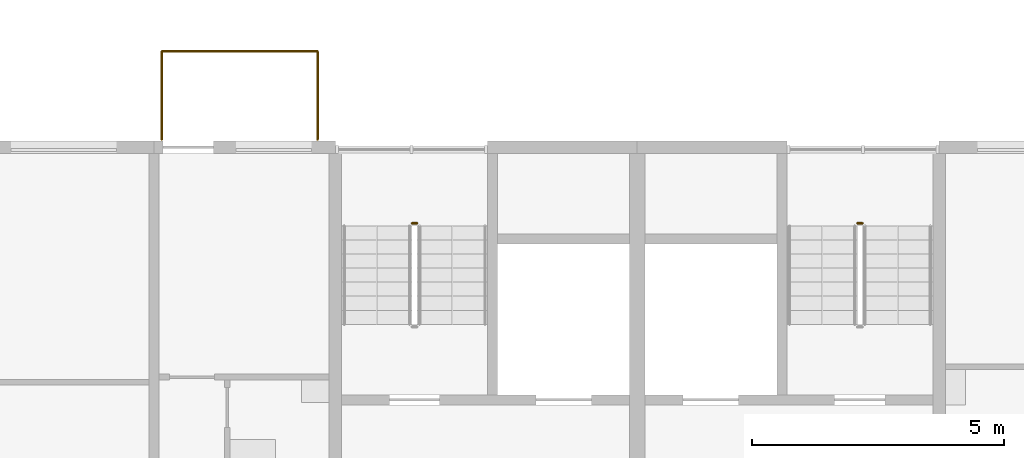
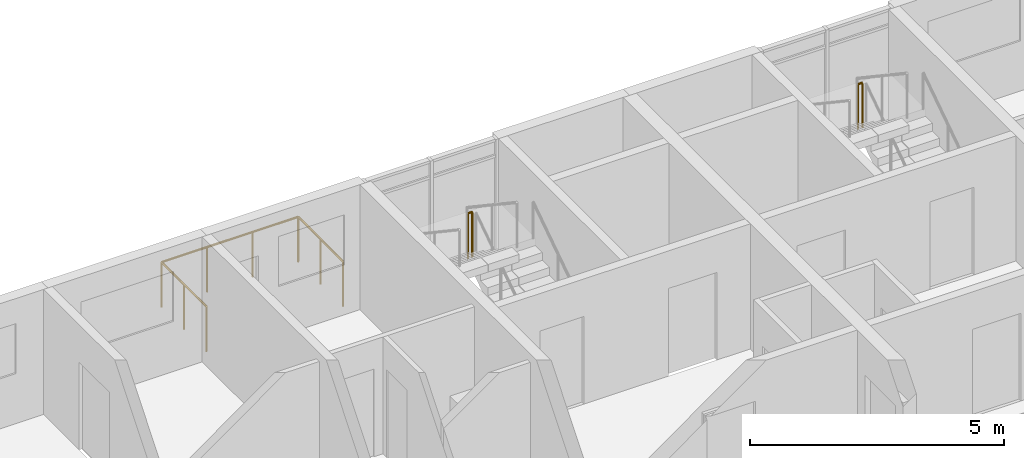
# One storey, part 83 of 100: 3 railings.
"""IFC4 building model written with IfcOpenShell, lengths in metres."""

from ifc_helpers import new_model, si_unit, direction, frame, origin, origin_2d, place, context, subcontext, project, spatial, circle, extrude, material, type_object, element, save


model = new_model("IFC4")

# Units and contexts
model_context = context("Model", 3, precision=1e-05, world=origin(), true_north=direction((0.0, 1.0)))
body_context = subcontext(model_context, "Body", "Model", "MODEL_VIEW")
ifc_project = project(units=[si_unit("LENGTHUNIT", "METRE"), si_unit("AREAUNIT", "SQUARE_METRE"), si_unit("VOLUMEUNIT", "CUBIC_METRE"), si_unit("PLANEANGLEUNIT", "RADIAN"), si_unit("MASSUNIT", "GRAM", prefix="KILO")], contexts=[model_context])

# Site, building, storey
site_placement = place(None, origin())
site = spatial("IfcSite", under=ifc_project, at=site_placement, CompositionType="ELEMENT")
building_placement = place(site_placement, origin())
building = spatial("IfcBuilding", under=site, at=building_placement, Name="Ridgestep Commons", CompositionType="ELEMENT")
storey_placement = place(building_placement, frame((0.0, 0.0, 9.0)))
storey = spatial("IfcBuildingStorey", under=building, at=storey_placement, Name="L03", CompositionType="ELEMENT", Elevation=9.0)

# Railings
ifc_material_1 = material(Name="Structural steel S355JR", Category="steel")
railing_type_1 = type_object("IfcRailingType", Name="Stair guard 1100", PredefinedType="GUARDRAIL", material=ifc_material_1)
railing_1_placement = place(storey_placement, frame((24.425048828125, 75.610107421875, 1.5)))
element("IfcRailing", 1, at=railing_1_placement, inside=storey, type_object=railing_type_1, Name="L03 B1C stair guard 2", PredefinedType="GUARDRAIL", context=body_context, shape_type="SweptSolid", body=[
    extrude(circle(Radius=0.02392578125, at=origin_2d()), frame((0.0, 0.0, 1.076171875), z_axis=(-1.0, 0.0, 0.0), x_axis=(0.0, -1.0, 0.0)), (0.0, 0.0, 1.0), 0.10009765625),
    extrude(circle(Radius=0.02099609375, at=origin_2d()), origin(), (0.0, 0.0, 1.0), 1.052001953125),
    extrude(circle(Radius=0.02099609375, at=origin_2d()), frame((-0.10009765625, 0.0, 0.0)), (0.0, 0.0, 1.0), 1.052001953125),
])
railing_2_placement = place(storey_placement, frame((33.27490234375, 75.610107421875, 1.5)))
element("IfcRailing", 2, at=railing_2_placement, inside=storey, type_object=railing_type_1, Name="L03 B2C stair guard 2", PredefinedType="GUARDRAIL", context=body_context, shape_type="SweptSolid", body=[
    extrude(circle(Radius=0.02392578125, at=origin_2d()), frame((0.0, 0.0, 1.076171875), z_axis=(-1.0, 0.0, 0.0), x_axis=(0.0, -1.0, 0.0)), (0.0, 0.0, 1.0), 0.099853515625),
    extrude(circle(Radius=0.02099609375, at=origin_2d()), origin(), (0.0, 0.0, 1.0), 1.052001953125),
    extrude(circle(Radius=0.02099609375, at=origin_2d()), frame((-0.099853515625, 0.0, 0.0)), (0.0, 0.0, 1.0), 1.052001953125),
])
ifc_material_2 = material(Name="Weathering steel S355J2W", Category="steel")
railing_type_2 = type_object("IfcRailingType", Name="Tray guard 1100", PredefinedType="GUARDRAIL", material=ifc_material_2)
railing_3_placement = place(storey_placement, frame((19.35107421875, 77.27099609375, 0.0)))
element("IfcRailing", 3, at=railing_3_placement, inside=storey, type_object=railing_type_2, Name="Tray guard B1T3-03", PredefinedType="GUARDRAIL", context=body_context, shape_type="SweptSolid", body=[
    extrude(circle(Radius=0.02392578125, at=origin_2d()), frame((0.0, 0.0, 1.076171875), z_axis=(0.0, 1.0, 0.0), x_axis=(-1.0, 0.0, 0.0)), (0.0, 0.0, 1.0), 1.758056640625),
    extrude(circle(Radius=0.02392578125, at=origin_2d()), frame((0.0, 1.758056640625, 1.076171875), z_axis=(1.0, 0.0, 0.0), x_axis=(0.0, 1.0, 0.0)), (0.0, 0.0, 1.0), 3.097900390625),
    extrude(circle(Radius=0.02392578125, at=origin_2d()), frame((3.097900390625, 1.758056640625, 1.076171875), z_axis=(0.0, -1.0, 0.0), x_axis=(1.0, 0.0, 0.0)), (0.0, 0.0, 1.0), 1.758056640625),
    extrude(circle(Radius=0.02099609375, at=origin_2d()), origin(), (0.0, 0.0, 1.0), 1.052001953125),
    extrude(circle(Radius=0.02099609375, at=origin_2d()), frame((0.0, 0.87890625, 0.0)), (0.0, 0.0, 1.0), 1.052001953125),
    extrude(circle(Radius=0.02099609375, at=origin_2d()), frame((0.0, 1.758056640625, 0.0)), (0.0, 0.0, 1.0), 1.052001953125),
    extrude(circle(Radius=0.02099609375, at=origin_2d()), frame((1.03271484375, 1.758056640625, 0.0)), (0.0, 0.0, 1.0), 1.052001953125),
    extrude(circle(Radius=0.02099609375, at=origin_2d()), frame((2.065185546875, 1.758056640625, 0.0)), (0.0, 0.0, 1.0), 1.052001953125),
    extrude(circle(Radius=0.02099609375, at=origin_2d()), frame((3.097900390625, 1.758056640625, 0.0)), (0.0, 0.0, 1.0), 1.052001953125),
    extrude(circle(Radius=0.02099609375, at=origin_2d()), frame((3.097900390625, 0.87890625, 0.0)), (0.0, 0.0, 1.0), 1.052001953125),
    extrude(circle(Radius=0.02099609375, at=origin_2d()), frame((3.097900390625, 0.0, 0.0)), (0.0, 0.0, 1.0), 1.052001953125),
])

save(model, "model.ifc")
